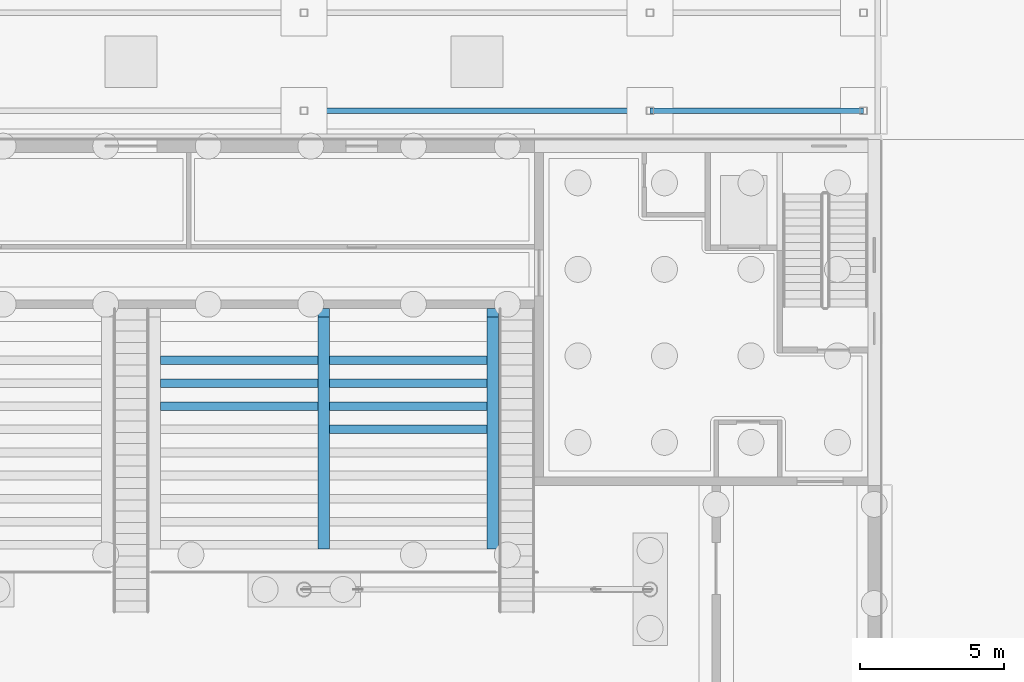
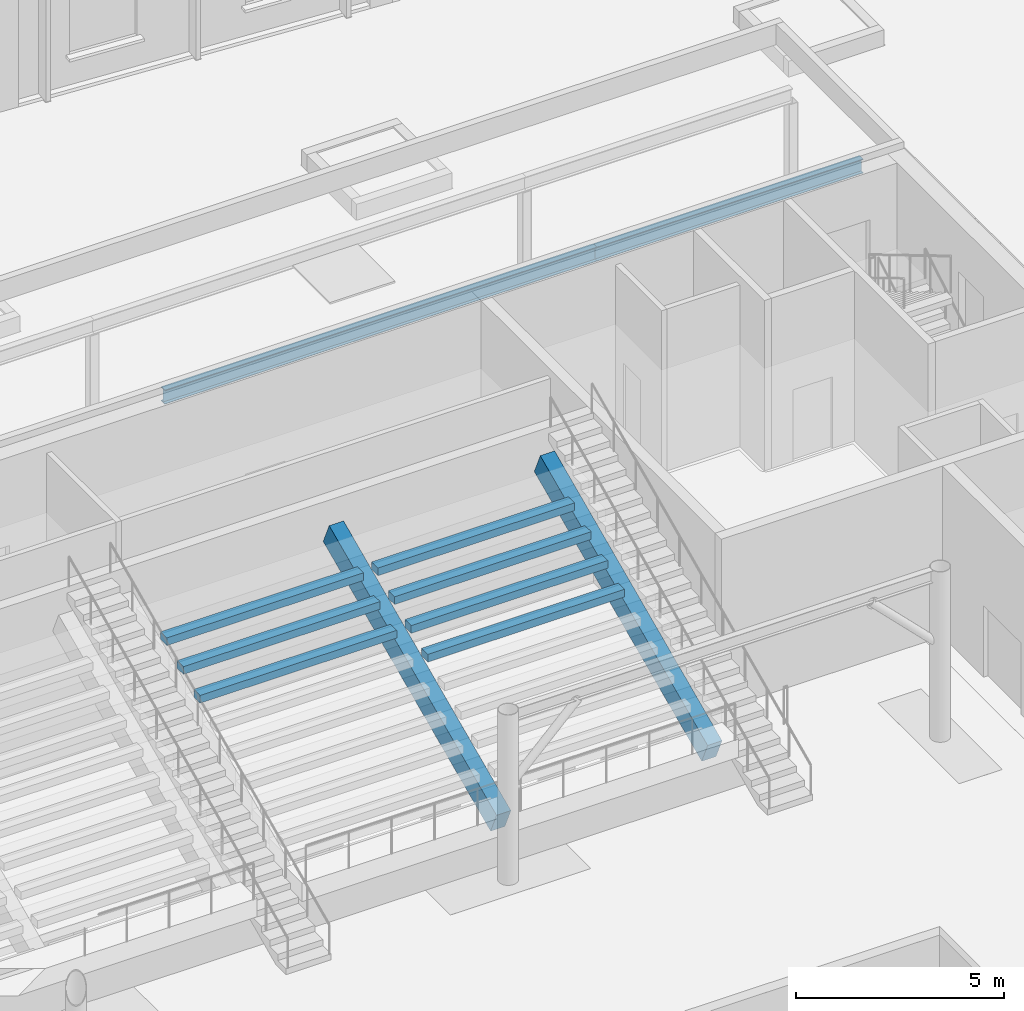
# One storey, part 52 of 157: 11 beams.
"""IFC4 building model written with IfcOpenShell, lengths in metres."""

from ifc_helpers import new_model, si_unit, direction, frame, origin, origin_2d, place, context, subcontext, project, spatial, rectangle, i_section, extrude, material, material_profile, profile_set, type_object, element, save


model = new_model("IFC4")

# Units and contexts
model_context = context("Model", 3, precision=1e-05, world=origin(), true_north=direction((0.0, 1.0)))
body_context = subcontext(model_context, "Body", "Model", "MODEL_VIEW")
ifc_project = project(units=[si_unit("LENGTHUNIT", "METRE"), si_unit("AREAUNIT", "SQUARE_METRE"), si_unit("VOLUMEUNIT", "CUBIC_METRE"), si_unit("PLANEANGLEUNIT", "RADIAN"), si_unit("MASSUNIT", "GRAM", prefix="KILO")], contexts=[model_context])

# Site, building, storey
site_placement = place(None, origin())
site = spatial("IfcSite", under=ifc_project, at=site_placement, CompositionType="ELEMENT")
building_placement = place(site_placement, origin())
building = spatial("IfcBuilding", under=site, at=building_placement, Name="Windward Yard Aquatics Centre", CompositionType="ELEMENT")
storey_placement = place(building_placement, origin())
storey = spatial("IfcBuildingStorey", under=building, at=storey_placement, Name="L00", CompositionType="ELEMENT", Elevation=0.0)

# Beams
ifc_material_1 = material(Name="Steel ASTM A992 Gr 50", Category="steel")
ifc_material_profile_1 = material_profile(ifc_material_1, i_section(OverallWidth=0.180908203125, OverallDepth=0.4169921875, WebThickness=0.010986328125, FlangeThickness=0.018310546875, at=origin_2d()), Name="W410X85")
ifc_profile_set_1 = profile_set([ifc_material_profile_1], Name="Steel ASTM A992 Gr 50")
beam_type_1 = type_object("IfcBeamType", Name="A beam W410X85", PredefinedType="BEAM", material=ifc_profile_set_1)
beam_1_placement = place(storey_placement, frame((132.0, 97.0, 4.1416015625), z_axis=(1.0, 0.0, 0.0), x_axis=(0.0, 1.0, 0.0)))
element("IfcBeam", 1, at=beam_1_placement, inside=storey, type_object=beam_type_1, Name="A.B.1.8", PredefinedType="BEAM", context=body_context, shape_type="SweptSolid", body=[
    extrude(i_section(OverallWidth=0.180908203125, OverallDepth=0.4169921875, WebThickness=0.010986328125, FlangeThickness=0.018310546875, at=origin_2d()), origin(), (0.0, 0.0, 1.0), 12.0),
])
beam_2_placement = place(storey_placement, frame((144.0, 97.0, 4.1416015625), z_axis=(1.0, 0.0, 0.0), x_axis=(0.0, 1.0, 0.0)))
element("IfcBeam", 2, at=beam_2_placement, inside=storey, type_object=beam_type_1, Name="A.B.1.9", PredefinedType="BEAM", context=body_context, shape_type="SweptSolid", body=[
    extrude(i_section(OverallWidth=0.180908203125, OverallDepth=0.4169921875, WebThickness=0.010986328125, FlangeThickness=0.018310546875, at=origin_2d()), origin(), (0.0, 0.0, 1.0), 7.39990234375),
])
ifc_material_2 = material(Name="Concrete C35/45", Category="concrete")
ifc_material_profile_2 = material_profile(ifc_material_2, rectangle(XDim=0.39990234375, YDim=0.699951171875, at=origin_2d()), Name="RC 400X700")
ifc_profile_set_2 = profile_set([ifc_material_profile_2], Name="Concrete C35/45")
beam_type_2 = type_object("IfcBeamType", Name="H stand raker RC 400X700 C35/45", PredefinedType="USERDEFINED", material=ifc_profile_set_2)
for number, where, z_axis, x_axis, name in (
    (3, (132.6875, 81.943603515625, 0.540771484375), (0.0, 0.911918401483, 0.410371574353), (-1.0, 0.0, 0.0), "H.RK.N.6.2"),
    (4, (138.550048828125, 81.943603515625, 0.540771484375), (0.0, 0.911918401483, 0.410371574353), (-1.0, 0.0, 0.0), "H.RK.N.6.3"),
):
    element("IfcBeam", number, at=place(storey_placement, frame(where, z_axis=z_axis, x_axis=x_axis)), inside=storey, type_object=beam_type_2, Name=name, ObjectType="RAKER", PredefinedType="USERDEFINED", context=body_context, shape_type="SweptSolid", body=[
        extrude(rectangle(XDim=0.39990234375, YDim=0.699951171875, at=origin_2d()), origin(), (0.0, 0.0, 1.0), 8.8310546875),
    ])
ifc_material_profile_3 = material_profile(ifc_material_2, rectangle(XDim=0.300048828125, YDim=0.22509765625, at=origin_2d()), Name="RC 300X225")
ifc_profile_set_3 = profile_set([ifc_material_profile_3], Name="Concrete C35/45")
beam_type_3 = type_object("IfcBeamType", Name="H stand tread beam RC 300X225 C35/45", PredefinedType="USERDEFINED", material=ifc_profile_set_3)
for number, where, z_axis, x_axis, name in (
    (5, (132.887451171875, 85.949951171875, 2.907470703125), (1.0, 0.0, 0.0), (0.0, 1.0, 0.0), "H.TD.N.6.R07.2"),
    (6, (127.02490234375, 86.75, 3.267578125), (1.0, 0.0, 0.0), (0.0, 1.0, 0.0), "H.TD.N.6.R08.1"),
    (7, (132.887451171875, 86.75, 3.267578125), (1.0, 0.0, 0.0), (0.0, 1.0, 0.0), "H.TD.N.6.R08.2"),
    (8, (127.02490234375, 87.550048828125, 3.62744140625), (1.0, 0.0, 0.0), (0.0, 1.0, 0.0), "H.TD.N.6.R09.1"),
    (9, (132.887451171875, 87.550048828125, 3.62744140625), (1.0, 0.0, 0.0), (0.0, 1.0, 0.0), "H.TD.N.6.R09.2"),
    (10, (127.02490234375, 88.35009765625, 3.987548828125), (1.0, 0.0, 0.0), (0.0, 1.0, 0.0), "H.TD.N.6.R10.1"),
    (11, (132.887451171875, 88.35009765625, 3.987548828125), (1.0, 0.0, 0.0), (0.0, 1.0, 0.0), "H.TD.N.6.R10.2"),
):
    element("IfcBeam", number, at=place(storey_placement, frame(where, z_axis=z_axis, x_axis=x_axis)), inside=storey, type_object=beam_type_3, Name=name, ObjectType="TREAD BEAM", PredefinedType="USERDEFINED", context=body_context, shape_type="SweptSolid", body=[
        extrude(rectangle(XDim=0.300048828125, YDim=0.22509765625, at=origin_2d()), origin(), (0.0, 0.0, 1.0), 5.462646484375),
    ])

save(model, "model.ifc")
